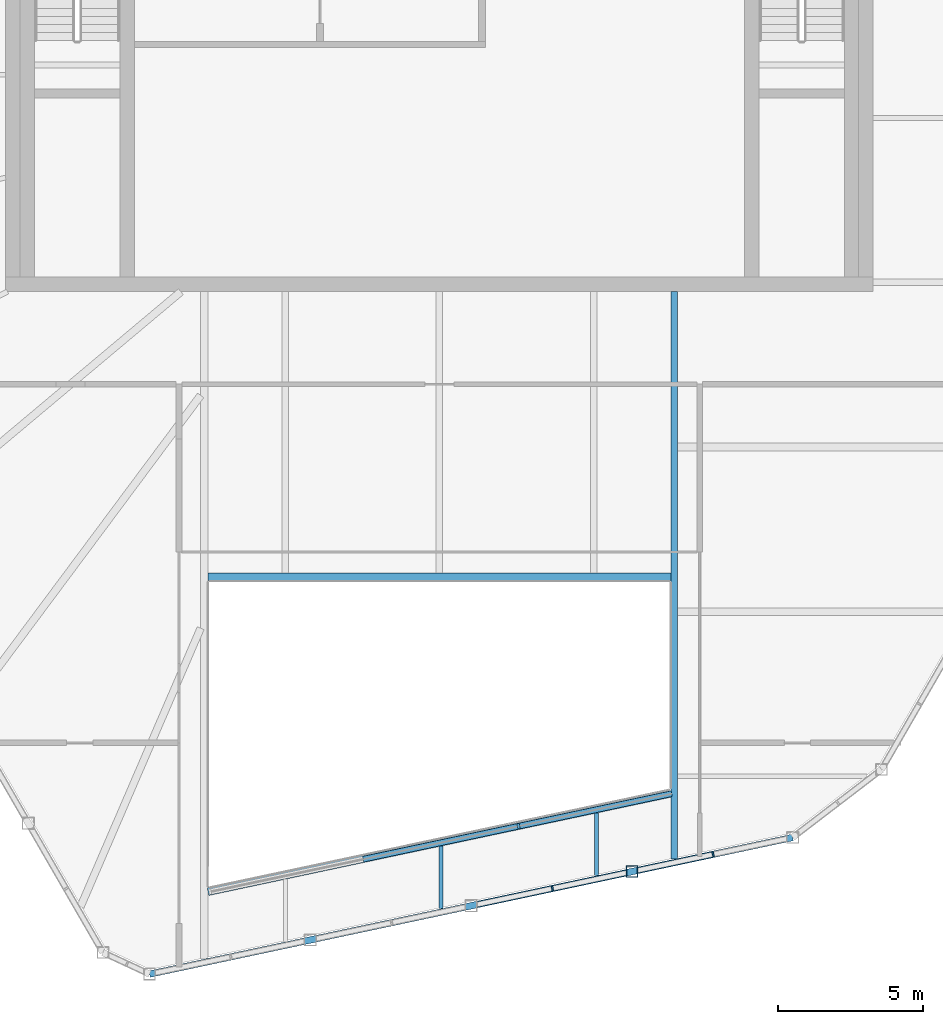
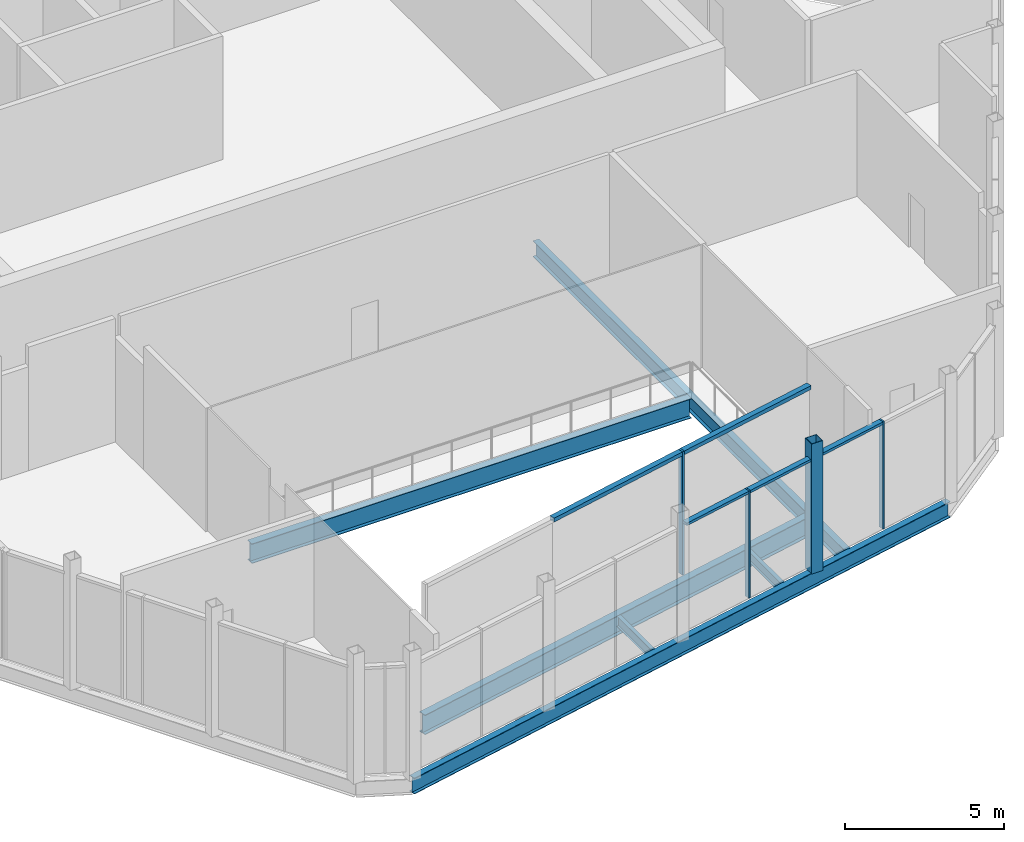
# One storey, part 2 of 12: 9 members, 6 beams, 2 elements without a shape of their own.
"""IFC4 building model written with IfcOpenShell, lengths in metres."""

from ifc_helpers import new_model, si_unit, direction, frame, origin, origin_2d, place, context, subcontext, project, spatial, rectangle, hollow_rectangle, i_section, extrude, material, layer, layer_set, material_profile, profile_set, type_object, element, aggregate, save


model = new_model("IFC4")

# Units and contexts
model_context = context("Model", 3, precision=1e-05, world=origin(), true_north=direction((0.0, 1.0)))
body_context = subcontext(model_context, "Body", "Model", "MODEL_VIEW")
ifc_project = project(units=[si_unit("LENGTHUNIT", "METRE"), si_unit("AREAUNIT", "SQUARE_METRE"), si_unit("VOLUMEUNIT", "CUBIC_METRE"), si_unit("PLANEANGLEUNIT", "RADIAN"), si_unit("MASSUNIT", "GRAM", prefix="KILO")], contexts=[model_context])

# Site, building, storey
site_placement = place(None, origin())
site = spatial("IfcSite", under=ifc_project, at=site_placement, CompositionType="ELEMENT")
building_placement = place(site_placement, origin())
building = spatial("IfcBuilding", under=site, at=building_placement, Name="Isthmus Gate Tower", CompositionType="ELEMENT")
storey_placement = place(building_placement, frame((0.0, 0.0, 306.10009765625)))
storey = spatial("IfcBuildingStorey", under=building, at=storey_placement, Name="C2", CompositionType="ELEMENT", Elevation=306.10009765625)

# Member
ifc_material_1 = material(Name="Structural steel ASTM A500 Gr C", Category="steel")
ifc_material_profile_1 = material_profile(ifc_material_1, hollow_rectangle(XDim=0.406494140625, YDim=0.406494140625, WallThickness=0.017578125, at=origin_2d()), Name="HSS16X16X3/4")
ifc_profile_set_1 = profile_set([ifc_material_profile_1], Name="Structural steel ASTM A500 Gr C")
member_type_1 = type_object("IfcMemberType", Name="CROWN POST HSS16X16X3/4", PredefinedType="POST", material=ifc_profile_set_1)
member_1_placement = place(storey_placement, frame((6.65625, -20.0517578125, -0.25), z_axis=(0.0, 0.0, 1.0), x_axis=(1.0, 0.0, 0.0)))
element("IfcMember", 1, at=member_1_placement, inside=storey, type_object=member_type_1, Name="str-crownpost-C2-19", PredefinedType="POST", context=body_context, shape_type="SweptSolid", body=[
    extrude(hollow_rectangle(XDim=0.406494140625, YDim=0.406494140625, WallThickness=0.017578125, at=origin_2d()), origin(), (0.0, 0.0, 1.0), 5.0),
])

# Beam
ifc_material_2 = material(Name="Structural steel ASTM A992 Gr 50", Category="steel")
ifc_material_profile_2 = material_profile(ifc_material_2, i_section(OverallWidth=0.231689453125, OverallDepth=0.615966796875, WebThickness=0.0126953125, FlangeThickness=0.022216796875, at=origin_2d()), Name="W24X94")
ifc_profile_set_2 = profile_set([ifc_material_profile_2], Name="Structural steel ASTM A992 Gr 50")
beam_type_1 = type_object("IfcBeamType", Name="CROWN RING BEAM W24X94", PredefinedType="BEAM", material=ifc_profile_set_2)
beam_1_placement = place(storey_placement, frame((-10.020263671875, -23.596435546875, -0.55810546875), z_axis=(0.978147166982, 0.207913731451, 0.0), x_axis=(-0.207913731451, 0.978147166982, 0.0)))
element("IfcBeam", 2, at=beam_1_placement, inside=storey, type_object=beam_type_1, Name="str-crownring-C2-06", PredefinedType="BEAM", context=body_context, shape_type="SweptSolid", body=[
    extrude(i_section(OverallWidth=0.231689453125, OverallDepth=0.615966796875, WebThickness=0.0126953125, FlangeThickness=0.022216796875, at=origin_2d()), origin(), (0.0, 0.0, 1.0), 22.732177734375),
])

# Curtain wall, members
ifc_material_3 = material(Name="Aluminium, pale champagne anodised", Category="aluminium")
ifc_layer_1 = layer(ifc_material_3, 0.199951171875)
ifc_layer_set_1 = layer_set([ifc_layer_1], Name="CW-2 LOUVRE CURTAIN WALL 200 DEEP")
curtain_wall_type_1 = type_object("IfcCurtainWallType", Name="CW-2 LOUVRE CURTAIN WALL 200 DEEP", PredefinedType="NOTDEFINED", material=ifc_layer_set_1)
curtain_wall_1_placement = place(storey_placement, origin())
curtain_wall_1 = element("IfcCurtainWall", 3, at=curtain_wall_1_placement, inside=storey, type_object=curtain_wall_type_1, Name="CW-2 E06 C2", PredefinedType="NOTDEFINED")
ifc_material_4 = material(Name="Aluminium, pale champagne anodised", Category="aluminium")
ifc_material_profile_3 = material_profile(ifc_material_4, rectangle(XDim=0.06005859375, YDim=0.199951171875, at=origin_2d()), Name="60x200")
ifc_profile_set_3 = profile_set([ifc_material_profile_3], Name="Aluminium, pale champagne anodised")
member_type_2 = type_object("IfcMemberType", Name="CW-2 MULLION 60 X 200", PredefinedType="MULLION", material=ifc_profile_set_3)
member_2_placement = place(storey_placement, frame((3.90625, -20.63623046875, 0.0), z_axis=(0.0, 0.0, 1.0), x_axis=(0.978147600734, 0.207911690818, 0.0)))
member_2 = element("IfcMember", 4, at=member_2_placement, type_object=member_type_2, Name="CW-2 mullion", PredefinedType="MULLION", context=body_context, shape_type="SweptSolid", body=[
    extrude(rectangle(XDim=0.06005859375, YDim=0.199951171875, at=origin_2d()), origin(), (0.0, 0.0, 1.0), 4.134033203125),
])
member_3_placement = place(storey_placement, frame((9.465087890625, -19.45458984375, 0.0), z_axis=(0.0, 0.0, 1.0), x_axis=(0.978147600734, 0.207911690818, 0.0)))
member_3 = element("IfcMember", 5, at=member_3_placement, type_object=member_type_2, Name="CW-2 mullion", PredefinedType="MULLION", context=body_context, shape_type="SweptSolid", body=[
    extrude(rectangle(XDim=0.06005859375, YDim=0.199951171875, at=origin_2d()), origin(), (0.0, 0.0, 1.0), 4.134033203125),
])
ifc_material_5 = material(Name="Aluminium, pale champagne anodised", Category="aluminium")
ifc_material_profile_4 = material_profile(ifc_material_5, rectangle(XDim=0.199951171875, YDim=0.10009765625, at=origin_2d()), Name="200x100")
ifc_profile_set_4 = profile_set([ifc_material_profile_4], Name="Aluminium, pale champagne anodised")
member_type_3 = type_object("IfcMemberType", Name="CW-2 TRANSOM 200 X 100", PredefinedType="USERDEFINED", material=ifc_profile_set_4)
member_4_placement = place(storey_placement, frame((1.29638671875, -21.19091796875, 4.083984375), z_axis=(0.978142384703, 0.207936228801, 0.0), x_axis=(-0.207936228801, 0.978142384703, 0.0)))
member_4 = element("IfcMember", 6, at=member_4_placement, type_object=member_type_3, Name="CW-2 transom", ObjectType="TRANSOM", PredefinedType="USERDEFINED", context=body_context, shape_type="SweptSolid", body=[
    extrude(rectangle(XDim=0.199951171875, YDim=0.10009765625, at=origin_2d()), origin(), (0.0, 0.0, 1.0), 2.63818359375),
])
member_5_placement = place(storey_placement, frame((3.935546875, -20.6298828125, 4.083984375), z_axis=(0.978161257419, 0.207847430787, 0.0), x_axis=(-0.207847430787, 0.978161257419, 0.0)))
member_5 = element("IfcMember", 7, at=member_5_placement, type_object=member_type_3, Name="CW-2 transom", ObjectType="TRANSOM", PredefinedType="USERDEFINED", context=body_context, shape_type="SweptSolid", body=[
    extrude(rectangle(XDim=0.199951171875, YDim=0.10009765625, at=origin_2d()), origin(), (0.0, 0.0, 1.0), 2.578369140625),
])
member_6_placement = place(storey_placement, frame((6.855224609375, -20.00927734375, 4.083984375), z_axis=(0.978161202779, 0.207847687932, 0.0), x_axis=(-0.207847687932, 0.978161202779, 0.0)))
member_6 = element("IfcMember", 8, at=member_6_placement, type_object=member_type_3, Name="CW-2 transom", ObjectType="TRANSOM", PredefinedType="USERDEFINED", context=body_context, shape_type="SweptSolid", body=[
    extrude(rectangle(XDim=0.199951171875, YDim=0.10009765625, at=origin_2d()), origin(), (0.0, 0.0, 1.0), 2.63818359375),
])
aggregate(curtain_wall_1, [member_4, member_2, member_5, member_6, member_3])

ifc_material_6 = material(Name="Aluminium, pale champagne anodised", Category="aluminium")
ifc_layer_2 = layer(ifc_material_6, 0.199951171875)
ifc_layer_set_2 = layer_set([ifc_layer_2], Name="CW-4 ATRIUM CURTAIN WALL 200 DEEP")
curtain_wall_type_2 = type_object("IfcCurtainWallType", Name="CW-4 ATRIUM CURTAIN WALL 200 DEEP", PredefinedType="NOTDEFINED", material=ifc_layer_set_2)
curtain_wall_2_placement = place(storey_placement, origin())
curtain_wall_2 = element("IfcCurtainWall", 9, at=curtain_wall_2_placement, inside=storey, type_object=curtain_wall_type_2, Name="CW-4 atrium south C2", PredefinedType="NOTDEFINED")
ifc_material_7 = material(Name="Aluminium, pale champagne anodised", Category="aluminium")
ifc_material_profile_5 = material_profile(ifc_material_7, rectangle(XDim=0.080078125, YDim=0.199951171875, at=origin_2d()), Name="80x200")
ifc_profile_set_5 = profile_set([ifc_material_profile_5], Name="Aluminium, pale champagne anodised")
member_type_4 = type_object("IfcMemberType", Name="CW-4 MULLION 80 X 200", PredefinedType="MULLION", material=ifc_profile_set_5)
member_7_placement = place(storey_placement, frame((2.737060546875, -18.482177734375, 0.0), z_axis=(0.0, 0.0, 1.0), x_axis=(0.978147600734, 0.207911690818, 0.0)))
member_7 = element("IfcMember", 10, at=member_7_placement, type_object=member_type_4, Name="CW-4 mullion", PredefinedType="MULLION", context=body_context, shape_type="SweptSolid", body=[
    extrude(rectangle(XDim=0.080078125, YDim=0.199951171875, at=origin_2d()), origin(), (0.0, 0.0, 1.0), 4.75),
])
ifc_material_8 = material(Name="Aluminium, pale champagne anodised", Category="aluminium")
ifc_material_profile_6 = material_profile(ifc_material_8, rectangle(XDim=0.199951171875, YDim=0.14990234375, at=origin_2d()), Name="200x150")
ifc_profile_set_6 = profile_set([ifc_material_profile_6], Name="Aluminium, pale champagne anodised")
member_type_5 = type_object("IfcMemberType", Name="CW-4 TRANSOM 200 X 150", PredefinedType="USERDEFINED", material=ifc_profile_set_6)
member_8_placement = place(storey_placement, frame((-2.635498046875, -19.624267578125, 4.6748046875), z_axis=(0.9781412086, 0.207941761169, 0.0), x_axis=(-0.207941761169, 0.9781412086, 0.0)))
member_8 = element("IfcMember", 11, at=member_8_placement, type_object=member_type_5, Name="CW-4 transom", ObjectType="TRANSOM", PredefinedType="USERDEFINED", context=body_context, shape_type="SweptSolid", body=[
    extrude(rectangle(XDim=0.199951171875, YDim=0.14990234375, at=origin_2d()), origin(), (0.0, 0.0, 1.0), 5.452392578125),
])
member_9_placement = place(storey_placement, frame((2.776123046875, -18.473876953125, 4.6748046875), z_axis=(0.978150188204, 0.207899517354, 0.0), x_axis=(-0.207899517354, 0.978150188204, 0.0)))
member_9 = element("IfcMember", 12, at=member_9_placement, type_object=member_type_5, Name="CW-4 transom", ObjectType="TRANSOM", PredefinedType="USERDEFINED", context=body_context, shape_type="SweptSolid", body=[
    extrude(rectangle(XDim=0.199951171875, YDim=0.14990234375, at=origin_2d()), origin(), (0.0, 0.0, 1.0), 5.37255859375),
])
aggregate(curtain_wall_2, [member_8, member_7, member_9])

# Beams
ifc_material_9 = material(Name="Structural steel ASTM A992 Gr 50", Category="steel")
ifc_material_profile_7 = material_profile(ifc_material_9, i_section(OverallWidth=0.1396484375, OverallDepth=0.4033203125, WebThickness=0.00634765625, FlangeThickness=0.010986328125, at=origin_2d()), Name="W16X31")
ifc_profile_set_7 = profile_set([ifc_material_profile_7], Name="Structural steel ASTM A992 Gr 50")
beam_type_2 = type_object("IfcBeamType", Name="STEEL FLOOR BEAM W16X31", PredefinedType="JOIST", material=ifc_profile_set_7)
for number, where, z_axis, x_axis, name in (
    (13, (0.05712890625, -21.3359375, -0.45166015625), (0.0, 1.0, 0.0), (-1.0, 0.0, 0.0), "str-beam-C2-01-01"),
    (14, (5.428466796875, -20.194091796875, -0.45166015625), (0.0, 1.0, 0.0), (-1.0, 0.0, 0.0), "str-beam-C2-01-02"),
):
    element("IfcBeam", number, at=place(storey_placement, frame(where, z_axis=z_axis, x_axis=x_axis)), inside=storey, type_object=beam_type_2, Name=name, PredefinedType="JOIST", context=body_context, shape_type="SweptSolid", body=[
        extrude(i_section(OverallWidth=0.1396484375, OverallDepth=0.4033203125, WebThickness=0.00634765625, FlangeThickness=0.010986328125, at=origin_2d()), origin(), (0.0, 0.0, 1.0), 2.164794921875),
    ])
ifc_material_10 = material(Name="Structural steel ASTM A992 Gr 50", Category="steel")
ifc_material_profile_8 = material_profile(ifc_material_10, i_section(OverallWidth=0.228515625, OverallDepth=0.603271484375, WebThickness=0.010986328125, FlangeThickness=0.014404296875, at=origin_2d()), Name="W24X68")
ifc_profile_set_8 = profile_set([ifc_material_profile_8], Name="Structural steel ASTM A992 Gr 50")
beam_type_3 = type_object("IfcBeamType", Name="STEEL TRIMMER W24X68", PredefinedType="BEAM", material=ifc_profile_set_8)
beam_2_placement = place(storey_placement, frame((8.1142578125, -19.623291015625, -0.5517578125), z_axis=(0.0, 1.0, 0.0), x_axis=(-1.0, 0.0, 0.0)))
element("IfcBeam", 15, at=beam_2_placement, inside=storey, type_object=beam_type_3, Name="str-trimmer-C2-01", PredefinedType="BEAM", context=body_context, shape_type="SweptSolid", body=[
    extrude(i_section(OverallWidth=0.228515625, OverallDepth=0.603271484375, WebThickness=0.010986328125, FlangeThickness=0.014404296875, at=origin_2d()), origin(), (0.0, 0.0, 1.0), 19.623291015625),
])
ifc_material_11 = material(Name="Structural steel ASTM A992 Gr 50", Category="steel")
ifc_material_profile_9 = material_profile(ifc_material_11, i_section(OverallWidth=0.2666015625, OverallDepth=0.7587890625, WebThickness=0.014404296875, FlangeThickness=0.01904296875, at=origin_2d()), Name="W30X108")
ifc_profile_set_9 = profile_set([ifc_material_profile_9], Name="Structural steel ASTM A992 Gr 50")
beam_type_4 = type_object("IfcBeamType", Name="STEEL TRIMMER W30X108", PredefinedType="BEAM", material=ifc_profile_set_9)
beam_3_placement = place(storey_placement, frame((-8.0, -20.747314453125, -0.62939453125), z_axis=(0.978147924985, 0.20791016533, 0.0), x_axis=(-0.20791016533, 0.978147924985, 0.0)))
element("IfcBeam", 16, at=beam_3_placement, inside=storey, type_object=beam_type_4, Name="str-trimmer-C2-03", PredefinedType="BEAM", context=body_context, shape_type="SweptSolid", body=[
    extrude(i_section(OverallWidth=0.2666015625, OverallDepth=0.7587890625, WebThickness=0.014404296875, FlangeThickness=0.01904296875, at=origin_2d()), origin(), (0.0, 0.0, 1.0), 16.357421875),
])
beam_4_placement = place(storey_placement, frame((8.0, -9.86669921875, -0.62939453125), z_axis=(-1.0, 0.0, 0.0), x_axis=(0.0, -1.0, 0.0)))
element("IfcBeam", 17, at=beam_4_placement, inside=storey, type_object=beam_type_4, Name="str-trimmer-C2-04", PredefinedType="BEAM", context=body_context, shape_type="SweptSolid", body=[
    extrude(i_section(OverallWidth=0.2666015625, OverallDepth=0.7587890625, WebThickness=0.014404296875, FlangeThickness=0.01904296875, at=origin_2d()), origin(), (0.0, 0.0, 1.0), 16.0),
])

save(model, "model.ifc")
